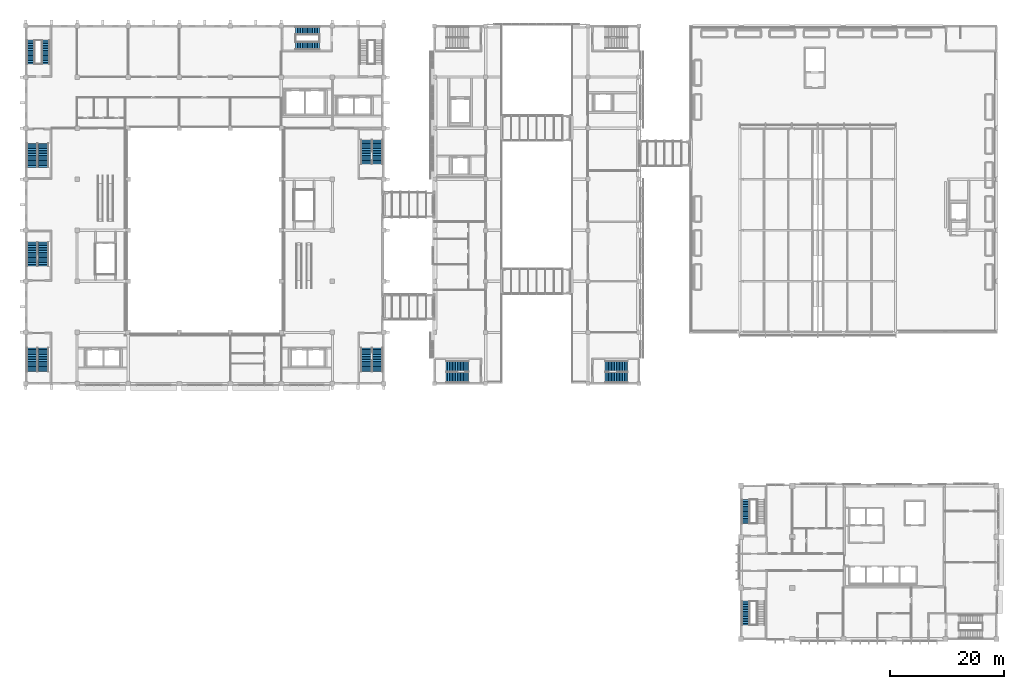
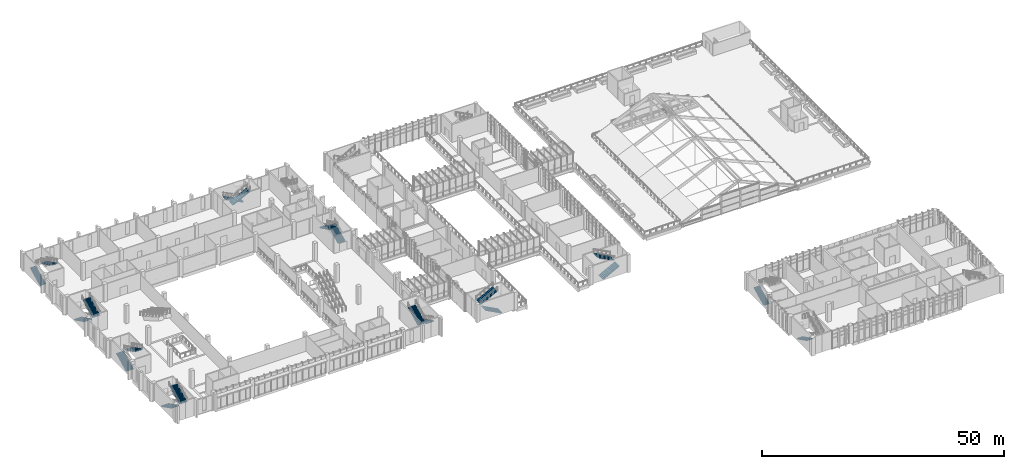
# One storey, part 80 of 106: 20 stair flights, 11 elements without a shape of their own.
"""IFC4 building model written with IfcOpenShell, lengths in metres."""

from ifc_helpers import new_model, si_unit, direction, frame, origin, place, context, subcontext, project, spatial, polyline, outline, extrude, material, type_object, element, aggregate, save


model = new_model("IFC4")

# Units and contexts
model_context = context("Model", 3, precision=1e-05, world=origin(), true_north=direction((0.0, 1.0)))
body_context = subcontext(model_context, "Body", "Model", "MODEL_VIEW")
ifc_project = project(units=[si_unit("LENGTHUNIT", "METRE"), si_unit("AREAUNIT", "SQUARE_METRE"), si_unit("VOLUMEUNIT", "CUBIC_METRE"), si_unit("PLANEANGLEUNIT", "RADIAN"), si_unit("MASSUNIT", "GRAM", prefix="KILO")], contexts=[model_context])

# Site, building, storey
site_placement = place(None, origin())
site = spatial("IfcSite", under=ifc_project, at=site_placement, CompositionType="ELEMENT")
building_placement = place(site_placement, origin())
building = spatial("IfcBuilding", under=site, at=building_placement, Name="Guidao Yard Department Store", CompositionType="ELEMENT")
storey_placement = place(building_placement, frame((0.0, 0.0, 10.5)))
storey = spatial("IfcBuildingStorey", under=building, at=storey_placement, Name="L02", CompositionType="ELEMENT", Elevation=10.5)

# Stair, stair flights
ifc_material_1 = material(Name="Concrete C35", Category="concrete")
stair_type_1 = type_object("IfcStairType", Name="Stair half-turn two-flight 1400 wide 4.5 m rise", PredefinedType="HALF_TURN_STAIR", material=ifc_material_1)
stair_1_placement = place(storey_placement, origin())
stair_1 = element("IfcStair", 1, at=stair_1_placement, inside=storey, type_object=stair_type_1, Name="Stair A5 L02 to L03", PredefinedType="HALF_TURN_STAIR")
ifc_material_2 = material(Name="Concrete C35", Category="concrete")
stair_flight_type_1 = type_object("IfcStairFlightType", Name="Stair flight RC straight 1400 wide 15 risers x 300 going C35", PredefinedType="STRAIGHT", material=ifc_material_2)
stair_flight_1_placement = place(storey_placement, frame((0.824951171875, 101.300048828125, 0.0), z_axis=(0.0, 0.0, 1.0), x_axis=(0.0, 1.0, 0.0)))
stair_flight_1 = element("IfcStairFlight", 2, at=stair_flight_1_placement, type_object=stair_flight_type_1, Name="SA5-L02 flight 1", NumberOfRisers=15, NumberOfTreads=14, PredefinedType="STRAIGHT", RiserHeight=0.15, TreadLength=0.3, context=body_context, shape_type="SweptSolid", body=[
    extrude(outline(polyline([(0.0, 0.0), (0.0, 0.14990234375), (0.300048828125, 0.14990234375), (0.300048828125, 0.300048828125), (0.60009765625, 0.300048828125), (0.60009765625, 0.449951171875), (0.89990234375, 0.449951171875), (0.89990234375, 0.60009765625), (1.199951171875, 0.60009765625), (1.199951171875, 0.75), (1.5, 0.75), (1.5, 0.89990234375), (1.800048828125, 0.89990234375), (1.800048828125, 1.050048828125), (2.10009765625, 1.050048828125), (2.10009765625, 1.199951171875), (2.39990234375, 1.199951171875), (2.39990234375, 1.35009765625), (2.699951171875, 1.35009765625), (2.699951171875, 1.5), (3.0, 1.5), (3.0, 1.64990234375), (3.300048828125, 1.64990234375), (3.300048828125, 1.800048828125), (3.60009765625, 1.800048828125), (3.60009765625, 1.949951171875), (3.89990234375, 1.949951171875), (3.89990234375, 2.10009765625), (4.199951171875, 2.10009765625), (4.199951171875, 2.25), (4.199951171875, 1.932373046875), (0.335205078125, 0.0), (0.0, 0.0)])), frame((0.0, 0.699951171875, 0.0), z_axis=(0.0, -1.0, 0.0), x_axis=(1.0, 0.0, 0.0)), (0.0, 0.0, 1.0), 1.39990234375),
])
stair_flight_2_placement = place(storey_placement, frame((3.5, 105.5, 2.25), z_axis=(0.0, 0.0, 1.0), x_axis=(0.0, -1.0, 0.0)))
stair_flight_2 = element("IfcStairFlight", 3, at=stair_flight_2_placement, type_object=stair_flight_type_1, Name="SA5-L02 flight 2", NumberOfRisers=15, NumberOfTreads=14, PredefinedType="STRAIGHT", RiserHeight=0.15, TreadLength=0.3, context=body_context, shape_type="SweptSolid", body=[
    extrude(outline(polyline([(0.0, 0.0), (0.0, 0.14990234375), (0.300048828125, 0.14990234375), (0.300048828125, 0.300048828125), (0.60009765625, 0.300048828125), (0.60009765625, 0.449951171875), (0.89990234375, 0.449951171875), (0.89990234375, 0.60009765625), (1.199951171875, 0.60009765625), (1.199951171875, 0.75), (1.5, 0.75), (1.5, 0.89990234375), (1.800048828125, 0.89990234375), (1.800048828125, 1.050048828125), (2.10009765625, 1.050048828125), (2.10009765625, 1.199951171875), (2.39990234375, 1.199951171875), (2.39990234375, 1.35009765625), (2.699951171875, 1.35009765625), (2.699951171875, 1.5), (3.0, 1.5), (3.0, 1.64990234375), (3.300048828125, 1.64990234375), (3.300048828125, 1.800048828125), (3.60009765625, 1.800048828125), (3.60009765625, 1.949951171875), (3.89990234375, 1.949951171875), (3.89990234375, 2.10009765625), (4.199951171875, 2.10009765625), (4.199951171875, 2.25), (4.199951171875, 1.932373046875), (0.335205078125, 0.0), (0.0, 0.0)])), frame((0.0, 0.699951171875, 0.0), z_axis=(0.0, -1.0, 0.0), x_axis=(1.0, 0.0, 0.0)), (0.0, 0.0, 1.0), 1.39990234375),
])
aggregate(stair_1, [stair_flight_1, stair_flight_2])

stair_2_placement = place(storey_placement, origin())
stair_2 = element("IfcStair", 4, at=stair_2_placement, inside=storey, type_object=stair_type_1, Name="Stair A7 L02 to L03", PredefinedType="HALF_TURN_STAIR")
stair_flight_3_placement = place(storey_placement, frame((51.699951171875, 107.175048828125, 0.0), z_axis=(0.0, 0.0, 1.0), x_axis=(-1.0, 0.0, 0.0)))
stair_flight_3 = element("IfcStairFlight", 5, at=stair_flight_3_placement, type_object=stair_flight_type_1, Name="SA7-L02 flight 1", NumberOfRisers=15, NumberOfTreads=14, PredefinedType="STRAIGHT", RiserHeight=0.15, TreadLength=0.3, context=body_context, shape_type="SweptSolid", body=[
    extrude(outline(polyline([(0.0, 0.0), (0.0, 0.14990234375), (0.300048828125, 0.14990234375), (0.300048828125, 0.300048828125), (0.60009765625, 0.300048828125), (0.60009765625, 0.449951171875), (0.89990234375, 0.449951171875), (0.89990234375, 0.60009765625), (1.199951171875, 0.60009765625), (1.199951171875, 0.75), (1.5, 0.75), (1.5, 0.89990234375), (1.800048828125, 0.89990234375), (1.800048828125, 1.050048828125), (2.10009765625, 1.050048828125), (2.10009765625, 1.199951171875), (2.39990234375, 1.199951171875), (2.39990234375, 1.35009765625), (2.699951171875, 1.35009765625), (2.699951171875, 1.5), (3.0, 1.5), (3.0, 1.64990234375), (3.300048828125, 1.64990234375), (3.300048828125, 1.800048828125), (3.60009765625, 1.800048828125), (3.60009765625, 1.949951171875), (3.89990234375, 1.949951171875), (3.89990234375, 2.10009765625), (4.199951171875, 2.10009765625), (4.199951171875, 2.25), (4.199951171875, 1.932373046875), (0.335205078125, 0.0), (0.0, 0.0)])), frame((0.0, 0.699951171875, 0.0), z_axis=(0.0, -1.0, 0.0), x_axis=(1.0, 0.0, 0.0)), (0.0, 0.0, 1.0), 1.39990234375),
])
stair_flight_4_placement = place(storey_placement, frame((47.5, 104.5, 2.25), z_axis=(0.0, 0.0, 1.0), x_axis=(1.0, 0.0, 0.0)))
stair_flight_4 = element("IfcStairFlight", 6, at=stair_flight_4_placement, type_object=stair_flight_type_1, Name="SA7-L02 flight 2", NumberOfRisers=15, NumberOfTreads=14, PredefinedType="STRAIGHT", RiserHeight=0.15, TreadLength=0.3, context=body_context, shape_type="SweptSolid", body=[
    extrude(outline(polyline([(0.0, 0.0), (0.0, 0.14990234375), (0.300048828125, 0.14990234375), (0.300048828125, 0.300048828125), (0.60009765625, 0.300048828125), (0.60009765625, 0.449951171875), (0.89990234375, 0.449951171875), (0.89990234375, 0.60009765625), (1.199951171875, 0.60009765625), (1.199951171875, 0.75), (1.5, 0.75), (1.5, 0.89990234375), (1.800048828125, 0.89990234375), (1.800048828125, 1.050048828125), (2.10009765625, 1.050048828125), (2.10009765625, 1.199951171875), (2.39990234375, 1.199951171875), (2.39990234375, 1.35009765625), (2.699951171875, 1.35009765625), (2.699951171875, 1.5), (3.0, 1.5), (3.0, 1.64990234375), (3.300048828125, 1.64990234375), (3.300048828125, 1.800048828125), (3.60009765625, 1.800048828125), (3.60009765625, 1.949951171875), (3.89990234375, 1.949951171875), (3.89990234375, 2.10009765625), (4.199951171875, 2.10009765625), (4.199951171875, 2.25), (4.199951171875, 1.932373046875), (0.335205078125, 0.0), (0.0, 0.0)])), frame((0.0, 0.699951171875, 0.0), z_axis=(0.0, -1.0, 0.0), x_axis=(1.0, 0.0, 0.0)), (0.0, 0.0, 1.0), 1.39990234375),
])
aggregate(stair_2, [stair_flight_3, stair_flight_4])

# Stair, stair flight
stair_3_placement = place(storey_placement, origin())
stair_3 = element("IfcStair", 7, at=stair_3_placement, inside=storey, type_object=stair_type_1, Name="Stair O1 L02 to L03", PredefinedType="HALF_TURN_STAIR")
stair_flight_5_placement = place(storey_placement, frame((126.824951171875, 6.64990234375, 0.0), z_axis=(0.0, 0.0, 1.0), x_axis=(0.0, -1.0, 0.0)))
stair_flight_5 = element("IfcStairFlight", 8, at=stair_flight_5_placement, type_object=stair_flight_type_1, Name="SO1-L02 flight 1", NumberOfRisers=15, NumberOfTreads=14, PredefinedType="STRAIGHT", RiserHeight=0.15, TreadLength=0.3, context=body_context, shape_type="SweptSolid", body=[
    extrude(outline(polyline([(0.0, 0.0), (0.0, 0.14990234375), (0.300048828125, 0.14990234375), (0.300048828125, 0.300048828125), (0.60009765625, 0.300048828125), (0.60009765625, 0.449951171875), (0.89990234375, 0.449951171875), (0.89990234375, 0.60009765625), (1.199951171875, 0.60009765625), (1.199951171875, 0.75), (1.5, 0.75), (1.5, 0.89990234375), (1.800048828125, 0.89990234375), (1.800048828125, 1.050048828125), (2.10009765625, 1.050048828125), (2.10009765625, 1.199951171875), (2.39990234375, 1.199951171875), (2.39990234375, 1.35009765625), (2.699951171875, 1.35009765625), (2.699951171875, 1.5), (3.0, 1.5), (3.0, 1.64990234375), (3.300048828125, 1.64990234375), (3.300048828125, 1.800048828125), (3.60009765625, 1.800048828125), (3.60009765625, 1.949951171875), (3.89990234375, 1.949951171875), (3.89990234375, 2.10009765625), (4.199951171875, 2.10009765625), (4.199951171875, 2.25), (4.199951171875, 1.932373046875), (0.335205078125, 0.0), (0.0, 0.0)])), frame((0.0, 0.699951171875, 0.0), z_axis=(0.0, -1.0, 0.0), x_axis=(1.0, 0.0, 0.0)), (0.0, 0.0, 1.0), 1.39990234375),
])
aggregate(stair_3, [stair_flight_5])

stair_4_placement = place(storey_placement, origin())
stair_4 = element("IfcStair", 9, at=stair_4_placement, inside=storey, type_object=stair_type_1, Name="Stair O3 L02 to L03", PredefinedType="HALF_TURN_STAIR")
stair_flight_6_placement = place(storey_placement, frame((126.824951171875, 20.35009765625, 0.0), z_axis=(0.0, 0.0, 1.0), x_axis=(0.0, 1.0, 0.0)))
stair_flight_6 = element("IfcStairFlight", 10, at=stair_flight_6_placement, type_object=stair_flight_type_1, Name="SO3-L02 flight 1", NumberOfRisers=15, NumberOfTreads=14, PredefinedType="STRAIGHT", RiserHeight=0.15, TreadLength=0.3, context=body_context, shape_type="SweptSolid", body=[
    extrude(outline(polyline([(0.0, 0.0), (0.0, 0.14990234375), (0.300048828125, 0.14990234375), (0.300048828125, 0.300048828125), (0.60009765625, 0.300048828125), (0.60009765625, 0.449951171875), (0.89990234375, 0.449951171875), (0.89990234375, 0.60009765625), (1.199951171875, 0.60009765625), (1.199951171875, 0.75), (1.5, 0.75), (1.5, 0.89990234375), (1.800048828125, 0.89990234375), (1.800048828125, 1.050048828125), (2.10009765625, 1.050048828125), (2.10009765625, 1.199951171875), (2.39990234375, 1.199951171875), (2.39990234375, 1.35009765625), (2.699951171875, 1.35009765625), (2.699951171875, 1.5), (3.0, 1.5), (3.0, 1.64990234375), (3.300048828125, 1.64990234375), (3.300048828125, 1.800048828125), (3.60009765625, 1.800048828125), (3.60009765625, 1.949951171875), (3.89990234375, 1.949951171875), (3.89990234375, 2.10009765625), (4.199951171875, 2.10009765625), (4.199951171875, 2.25), (4.199951171875, 1.932373046875), (0.335205078125, 0.0), (0.0, 0.0)])), frame((0.0, 0.699951171875, 0.0), z_axis=(0.0, -1.0, 0.0), x_axis=(1.0, 0.0, 0.0)), (0.0, 0.0, 1.0), 1.39990234375),
])
aggregate(stair_4, [stair_flight_6])

# Stair, stair flights
ifc_material_3 = material(Name="Concrete C35", Category="concrete")
stair_type_2 = type_object("IfcStairType", Name="Stair half-turn two-flight 1800 wide 4.5 m rise", PredefinedType="HALF_TURN_STAIR", material=ifc_material_3)
stair_5_placement = place(storey_placement, origin())
stair_5 = element("IfcStair", 11, at=stair_5_placement, inside=storey, type_object=stair_type_2, Name="Stair G1 L02 to L03", PredefinedType="HALF_TURN_STAIR")
ifc_material_4 = material(Name="Concrete C35", Category="concrete")
stair_flight_type_2 = type_object("IfcStairFlightType", Name="Stair flight RC straight 1800 wide 15 risers x 280 going C35", PredefinedType="STRAIGHT", material=ifc_material_4)
stair_flight_7_placement = place(storey_placement, frame((77.949951171875, 46.02490234375, 0.0), z_axis=(0.0, 0.0, 1.0), x_axis=(-1.0, 0.0, 0.0)))
stair_flight_7 = element("IfcStairFlight", 12, at=stair_flight_7_placement, type_object=stair_flight_type_2, Name="SG1-L02 flight 1", NumberOfRisers=15, NumberOfTreads=14, PredefinedType="STRAIGHT", RiserHeight=0.15, TreadLength=0.28, context=body_context, shape_type="SweptSolid", body=[
    extrude(outline(polyline([(0.0, 0.0), (0.0, 0.14990234375), (0.280029296875, 0.14990234375), (0.280029296875, 0.300048828125), (0.56005859375, 0.300048828125), (0.56005859375, 0.449951171875), (0.840087890625, 0.449951171875), (0.840087890625, 0.60009765625), (1.1201171875, 0.60009765625), (1.1201171875, 0.75), (1.39990234375, 0.75), (1.39990234375, 0.89990234375), (1.679931640625, 0.89990234375), (1.679931640625, 1.050048828125), (1.9599609375, 1.050048828125), (1.9599609375, 1.199951171875), (2.239990234375, 1.199951171875), (2.239990234375, 1.35009765625), (2.52001953125, 1.35009765625), (2.52001953125, 1.5), (2.800048828125, 1.5), (2.800048828125, 1.64990234375), (3.080078125, 1.64990234375), (3.080078125, 1.800048828125), (3.360107421875, 1.800048828125), (3.360107421875, 1.949951171875), (3.639892578125, 1.949951171875), (3.639892578125, 2.10009765625), (3.919921875, 2.10009765625), (3.919921875, 2.25), (3.919921875, 1.929931640625), (0.3173828125, 0.0), (0.0, 0.0)])), frame((0.0, 0.89990234375, 0.0), z_axis=(0.0, -1.0, 0.0), x_axis=(1.0, 0.0, 0.0)), (0.0, 0.0, 1.0), 1.800048828125),
])
stair_flight_8_placement = place(storey_placement, frame((74.030029296875, 48.074951171875, 2.25), z_axis=(0.0, 0.0, 1.0), x_axis=(1.0, 0.0, 0.0)))
stair_flight_8 = element("IfcStairFlight", 13, at=stair_flight_8_placement, type_object=stair_flight_type_2, Name="SG1-L02 flight 2", NumberOfRisers=15, NumberOfTreads=14, PredefinedType="STRAIGHT", RiserHeight=0.15, TreadLength=0.28, context=body_context, shape_type="SweptSolid", body=[
    extrude(outline(polyline([(0.0, 0.0), (0.0, 0.14990234375), (0.280029296875, 0.14990234375), (0.280029296875, 0.300048828125), (0.56005859375, 0.300048828125), (0.56005859375, 0.449951171875), (0.840087890625, 0.449951171875), (0.840087890625, 0.60009765625), (1.1201171875, 0.60009765625), (1.1201171875, 0.75), (1.39990234375, 0.75), (1.39990234375, 0.89990234375), (1.679931640625, 0.89990234375), (1.679931640625, 1.050048828125), (1.9599609375, 1.050048828125), (1.9599609375, 1.199951171875), (2.239990234375, 1.199951171875), (2.239990234375, 1.35009765625), (2.52001953125, 1.35009765625), (2.52001953125, 1.5), (2.800048828125, 1.5), (2.800048828125, 1.64990234375), (3.080078125, 1.64990234375), (3.080078125, 1.800048828125), (3.360107421875, 1.800048828125), (3.360107421875, 1.949951171875), (3.639892578125, 1.949951171875), (3.639892578125, 2.10009765625), (3.919921875, 2.10009765625), (3.919921875, 2.25), (3.919921875, 1.929931640625), (0.3173828125, 0.0), (0.0, 0.0)])), frame((0.0, 0.89990234375, 0.0), z_axis=(0.0, -1.0, 0.0), x_axis=(1.0, 0.0, 0.0)), (0.0, 0.0, 1.0), 1.800048828125),
])
aggregate(stair_5, [stair_flight_7, stair_flight_8])

stair_6_placement = place(storey_placement, origin())
stair_6 = element("IfcStair", 14, at=stair_6_placement, inside=storey, type_object=stair_type_2, Name="Stair G3 L02 to L03", PredefinedType="HALF_TURN_STAIR")
stair_flight_9_placement = place(storey_placement, frame((102.050048828125, 46.02490234375, 0.0), z_axis=(0.0, 0.0, 1.0), x_axis=(1.0, 0.0, 0.0)))
stair_flight_9 = element("IfcStairFlight", 15, at=stair_flight_9_placement, type_object=stair_flight_type_2, Name="SG3-L02 flight 1", NumberOfRisers=15, NumberOfTreads=14, PredefinedType="STRAIGHT", RiserHeight=0.15, TreadLength=0.28, context=body_context, shape_type="SweptSolid", body=[
    extrude(outline(polyline([(0.0, 0.0), (0.0, 0.14990234375), (0.280029296875, 0.14990234375), (0.280029296875, 0.300048828125), (0.56005859375, 0.300048828125), (0.56005859375, 0.449951171875), (0.840087890625, 0.449951171875), (0.840087890625, 0.60009765625), (1.1201171875, 0.60009765625), (1.1201171875, 0.75), (1.39990234375, 0.75), (1.39990234375, 0.89990234375), (1.679931640625, 0.89990234375), (1.679931640625, 1.050048828125), (1.9599609375, 1.050048828125), (1.9599609375, 1.199951171875), (2.239990234375, 1.199951171875), (2.239990234375, 1.35009765625), (2.52001953125, 1.35009765625), (2.52001953125, 1.5), (2.800048828125, 1.5), (2.800048828125, 1.64990234375), (3.080078125, 1.64990234375), (3.080078125, 1.800048828125), (3.360107421875, 1.800048828125), (3.360107421875, 1.949951171875), (3.639892578125, 1.949951171875), (3.639892578125, 2.10009765625), (3.919921875, 2.10009765625), (3.919921875, 2.25), (3.919921875, 1.929931640625), (0.3173828125, 0.0), (0.0, 0.0)])), frame((0.0, 0.89990234375, 0.0), z_axis=(0.0, -1.0, 0.0), x_axis=(1.0, 0.0, 0.0)), (0.0, 0.0, 1.0), 1.800048828125),
])
stair_flight_10_placement = place(storey_placement, frame((105.969970703125, 48.074951171875, 2.25), z_axis=(0.0, 0.0, 1.0), x_axis=(-1.0, 0.0, 0.0)))
stair_flight_10 = element("IfcStairFlight", 16, at=stair_flight_10_placement, type_object=stair_flight_type_2, Name="SG3-L02 flight 2", NumberOfRisers=15, NumberOfTreads=14, PredefinedType="STRAIGHT", RiserHeight=0.15, TreadLength=0.28, context=body_context, shape_type="SweptSolid", body=[
    extrude(outline(polyline([(0.0, 0.0), (0.0, 0.14990234375), (0.280029296875, 0.14990234375), (0.280029296875, 0.300048828125), (0.56005859375, 0.300048828125), (0.56005859375, 0.449951171875), (0.840087890625, 0.449951171875), (0.840087890625, 0.60009765625), (1.1201171875, 0.60009765625), (1.1201171875, 0.75), (1.39990234375, 0.75), (1.39990234375, 0.89990234375), (1.679931640625, 0.89990234375), (1.679931640625, 1.050048828125), (1.9599609375, 1.050048828125), (1.9599609375, 1.199951171875), (2.239990234375, 1.199951171875), (2.239990234375, 1.35009765625), (2.52001953125, 1.35009765625), (2.52001953125, 1.5), (2.800048828125, 1.5), (2.800048828125, 1.64990234375), (3.080078125, 1.64990234375), (3.080078125, 1.800048828125), (3.360107421875, 1.800048828125), (3.360107421875, 1.949951171875), (3.639892578125, 1.949951171875), (3.639892578125, 2.10009765625), (3.919921875, 2.10009765625), (3.919921875, 2.25), (3.919921875, 1.929931640625), (0.3173828125, 0.0), (0.0, 0.0)])), frame((0.0, 0.89990234375, 0.0), z_axis=(0.0, -1.0, 0.0), x_axis=(1.0, 0.0, 0.0)), (0.0, 0.0, 1.0), 1.800048828125),
])
aggregate(stair_6, [stair_flight_9, stair_flight_10])

stair_7_placement = place(storey_placement, origin())
stair_7 = element("IfcStair", 17, at=stair_7_placement, inside=storey, type_object=stair_type_2, Name="Stair A1 L02 to L03", PredefinedType="HALF_TURN_STAIR")
ifc_material_5 = material(Name="Concrete C35", Category="concrete")
stair_flight_type_3 = type_object("IfcStairFlightType", Name="Stair flight RC straight 1800 wide 15 risers x 300 going C35", PredefinedType="STRAIGHT", material=ifc_material_5)
stair_flight_11_placement = place(storey_placement, frame((1.02490234375, 65.699951171875, 0.0), z_axis=(0.0, 0.0, 1.0), x_axis=(0.0, 1.0, 0.0)))
stair_flight_11 = element("IfcStairFlight", 18, at=stair_flight_11_placement, type_object=stair_flight_type_3, Name="SA1-L02 flight 1", NumberOfRisers=15, NumberOfTreads=14, PredefinedType="STRAIGHT", RiserHeight=0.15, TreadLength=0.3, context=body_context, shape_type="SweptSolid", body=[
    extrude(outline(polyline([(0.0, 0.0), (0.0, 0.14990234375), (0.300048828125, 0.14990234375), (0.300048828125, 0.300048828125), (0.60009765625, 0.300048828125), (0.60009765625, 0.449951171875), (0.89990234375, 0.449951171875), (0.89990234375, 0.60009765625), (1.199951171875, 0.60009765625), (1.199951171875, 0.75), (1.5, 0.75), (1.5, 0.89990234375), (1.800048828125, 0.89990234375), (1.800048828125, 1.050048828125), (2.10009765625, 1.050048828125), (2.10009765625, 1.199951171875), (2.39990234375, 1.199951171875), (2.39990234375, 1.35009765625), (2.699951171875, 1.35009765625), (2.699951171875, 1.5), (3.0, 1.5), (3.0, 1.64990234375), (3.300048828125, 1.64990234375), (3.300048828125, 1.800048828125), (3.60009765625, 1.800048828125), (3.60009765625, 1.949951171875), (3.89990234375, 1.949951171875), (3.89990234375, 2.10009765625), (4.199951171875, 2.10009765625), (4.199951171875, 2.25), (4.199951171875, 1.932373046875), (0.335205078125, 0.0), (0.0, 0.0)])), frame((0.0, 0.89990234375, 0.0), z_axis=(0.0, -1.0, 0.0), x_axis=(1.0, 0.0, 0.0)), (0.0, 0.0, 1.0), 1.800048828125),
])
stair_flight_12_placement = place(storey_placement, frame((3.074951171875, 69.89990234375, 2.25), z_axis=(0.0, 0.0, 1.0), x_axis=(0.0, -1.0, 0.0)))
stair_flight_12 = element("IfcStairFlight", 19, at=stair_flight_12_placement, type_object=stair_flight_type_3, Name="SA1-L02 flight 2", NumberOfRisers=15, NumberOfTreads=14, PredefinedType="STRAIGHT", RiserHeight=0.15, TreadLength=0.3, context=body_context, shape_type="SweptSolid", body=[
    extrude(outline(polyline([(0.0, 0.0), (0.0, 0.14990234375), (0.300048828125, 0.14990234375), (0.300048828125, 0.300048828125), (0.60009765625, 0.300048828125), (0.60009765625, 0.449951171875), (0.89990234375, 0.449951171875), (0.89990234375, 0.60009765625), (1.199951171875, 0.60009765625), (1.199951171875, 0.75), (1.5, 0.75), (1.5, 0.89990234375), (1.800048828125, 0.89990234375), (1.800048828125, 1.050048828125), (2.10009765625, 1.050048828125), (2.10009765625, 1.199951171875), (2.39990234375, 1.199951171875), (2.39990234375, 1.35009765625), (2.699951171875, 1.35009765625), (2.699951171875, 1.5), (3.0, 1.5), (3.0, 1.64990234375), (3.300048828125, 1.64990234375), (3.300048828125, 1.800048828125), (3.60009765625, 1.800048828125), (3.60009765625, 1.949951171875), (3.89990234375, 1.949951171875), (3.89990234375, 2.10009765625), (4.199951171875, 2.10009765625), (4.199951171875, 2.25), (4.199951171875, 1.932373046875), (0.335205078125, 0.0), (0.0, 0.0)])), frame((0.0, 0.89990234375, 0.0), z_axis=(0.0, -1.0, 0.0), x_axis=(1.0, 0.0, 0.0)), (0.0, 0.0, 1.0), 1.800048828125),
])
aggregate(stair_7, [stair_flight_11, stair_flight_12])

stair_8_placement = place(storey_placement, origin())
stair_8 = element("IfcStair", 20, at=stair_8_placement, inside=storey, type_object=stair_type_2, Name="Stair A2 L02 to L03", PredefinedType="HALF_TURN_STAIR")
stair_flight_13_placement = place(storey_placement, frame((61.97509765625, 51.300048828125, 0.0), z_axis=(0.0, 0.0, 1.0), x_axis=(0.0, -1.0, 0.0)))
stair_flight_13 = element("IfcStairFlight", 21, at=stair_flight_13_placement, type_object=stair_flight_type_3, Name="SA2-L02 flight 1", NumberOfRisers=15, NumberOfTreads=14, PredefinedType="STRAIGHT", RiserHeight=0.15, TreadLength=0.3, context=body_context, shape_type="SweptSolid", body=[
    extrude(outline(polyline([(0.0, 0.0), (0.0, 0.14990234375), (0.300048828125, 0.14990234375), (0.300048828125, 0.300048828125), (0.60009765625, 0.300048828125), (0.60009765625, 0.449951171875), (0.89990234375, 0.449951171875), (0.89990234375, 0.60009765625), (1.199951171875, 0.60009765625), (1.199951171875, 0.75), (1.5, 0.75), (1.5, 0.89990234375), (1.800048828125, 0.89990234375), (1.800048828125, 1.050048828125), (2.10009765625, 1.050048828125), (2.10009765625, 1.199951171875), (2.39990234375, 1.199951171875), (2.39990234375, 1.35009765625), (2.699951171875, 1.35009765625), (2.699951171875, 1.5), (3.0, 1.5), (3.0, 1.64990234375), (3.300048828125, 1.64990234375), (3.300048828125, 1.800048828125), (3.60009765625, 1.800048828125), (3.60009765625, 1.949951171875), (3.89990234375, 1.949951171875), (3.89990234375, 2.10009765625), (4.199951171875, 2.10009765625), (4.199951171875, 2.25), (4.199951171875, 1.932373046875), (0.335205078125, 0.0), (0.0, 0.0)])), frame((0.0, 0.89990234375, 0.0), z_axis=(0.0, -1.0, 0.0), x_axis=(1.0, 0.0, 0.0)), (0.0, 0.0, 1.0), 1.800048828125),
])
stair_flight_14_placement = place(storey_placement, frame((59.925048828125, 47.10009765625, 2.25), z_axis=(0.0, 0.0, 1.0), x_axis=(0.0, 1.0, 0.0)))
stair_flight_14 = element("IfcStairFlight", 22, at=stair_flight_14_placement, type_object=stair_flight_type_3, Name="SA2-L02 flight 2", NumberOfRisers=15, NumberOfTreads=14, PredefinedType="STRAIGHT", RiserHeight=0.15, TreadLength=0.3, context=body_context, shape_type="SweptSolid", body=[
    extrude(outline(polyline([(0.0, 0.0), (0.0, 0.14990234375), (0.300048828125, 0.14990234375), (0.300048828125, 0.300048828125), (0.60009765625, 0.300048828125), (0.60009765625, 0.449951171875), (0.89990234375, 0.449951171875), (0.89990234375, 0.60009765625), (1.199951171875, 0.60009765625), (1.199951171875, 0.75), (1.5, 0.75), (1.5, 0.89990234375), (1.800048828125, 0.89990234375), (1.800048828125, 1.050048828125), (2.10009765625, 1.050048828125), (2.10009765625, 1.199951171875), (2.39990234375, 1.199951171875), (2.39990234375, 1.35009765625), (2.699951171875, 1.35009765625), (2.699951171875, 1.5), (3.0, 1.5), (3.0, 1.64990234375), (3.300048828125, 1.64990234375), (3.300048828125, 1.800048828125), (3.60009765625, 1.800048828125), (3.60009765625, 1.949951171875), (3.89990234375, 1.949951171875), (3.89990234375, 2.10009765625), (4.199951171875, 2.10009765625), (4.199951171875, 2.25), (4.199951171875, 1.932373046875), (0.335205078125, 0.0), (0.0, 0.0)])), frame((0.0, 0.89990234375, 0.0), z_axis=(0.0, -1.0, 0.0), x_axis=(1.0, 0.0, 0.0)), (0.0, 0.0, 1.0), 1.800048828125),
])
aggregate(stair_8, [stair_flight_13, stair_flight_14])

stair_9_placement = place(storey_placement, origin())
stair_9 = element("IfcStair", 23, at=stair_9_placement, inside=storey, type_object=stair_type_2, Name="Stair A3 L02 to L03", PredefinedType="HALF_TURN_STAIR")
stair_flight_15_placement = place(storey_placement, frame((1.02490234375, 87.300048828125, 0.0), z_axis=(0.0, 0.0, 1.0), x_axis=(0.0, -1.0, 0.0)))
stair_flight_15 = element("IfcStairFlight", 24, at=stair_flight_15_placement, type_object=stair_flight_type_3, Name="SA3-L02 flight 1", NumberOfRisers=15, NumberOfTreads=14, PredefinedType="STRAIGHT", RiserHeight=0.15, TreadLength=0.3, context=body_context, shape_type="SweptSolid", body=[
    extrude(outline(polyline([(0.0, 0.0), (0.0, 0.14990234375), (0.300048828125, 0.14990234375), (0.300048828125, 0.300048828125), (0.60009765625, 0.300048828125), (0.60009765625, 0.449951171875), (0.89990234375, 0.449951171875), (0.89990234375, 0.60009765625), (1.199951171875, 0.60009765625), (1.199951171875, 0.75), (1.5, 0.75), (1.5, 0.89990234375), (1.800048828125, 0.89990234375), (1.800048828125, 1.050048828125), (2.10009765625, 1.050048828125), (2.10009765625, 1.199951171875), (2.39990234375, 1.199951171875), (2.39990234375, 1.35009765625), (2.699951171875, 1.35009765625), (2.699951171875, 1.5), (3.0, 1.5), (3.0, 1.64990234375), (3.300048828125, 1.64990234375), (3.300048828125, 1.800048828125), (3.60009765625, 1.800048828125), (3.60009765625, 1.949951171875), (3.89990234375, 1.949951171875), (3.89990234375, 2.10009765625), (4.199951171875, 2.10009765625), (4.199951171875, 2.25), (4.199951171875, 1.932373046875), (0.335205078125, 0.0), (0.0, 0.0)])), frame((0.0, 0.89990234375, 0.0), z_axis=(0.0, -1.0, 0.0), x_axis=(1.0, 0.0, 0.0)), (0.0, 0.0, 1.0), 1.800048828125),
])
stair_flight_16_placement = place(storey_placement, frame((3.074951171875, 83.10009765625, 2.25), z_axis=(0.0, 0.0, 1.0), x_axis=(0.0, 1.0, 0.0)))
stair_flight_16 = element("IfcStairFlight", 25, at=stair_flight_16_placement, type_object=stair_flight_type_3, Name="SA3-L02 flight 2", NumberOfRisers=15, NumberOfTreads=14, PredefinedType="STRAIGHT", RiserHeight=0.15, TreadLength=0.3, context=body_context, shape_type="SweptSolid", body=[
    extrude(outline(polyline([(0.0, 0.0), (0.0, 0.14990234375), (0.300048828125, 0.14990234375), (0.300048828125, 0.300048828125), (0.60009765625, 0.300048828125), (0.60009765625, 0.449951171875), (0.89990234375, 0.449951171875), (0.89990234375, 0.60009765625), (1.199951171875, 0.60009765625), (1.199951171875, 0.75), (1.5, 0.75), (1.5, 0.89990234375), (1.800048828125, 0.89990234375), (1.800048828125, 1.050048828125), (2.10009765625, 1.050048828125), (2.10009765625, 1.199951171875), (2.39990234375, 1.199951171875), (2.39990234375, 1.35009765625), (2.699951171875, 1.35009765625), (2.699951171875, 1.5), (3.0, 1.5), (3.0, 1.64990234375), (3.300048828125, 1.64990234375), (3.300048828125, 1.800048828125), (3.60009765625, 1.800048828125), (3.60009765625, 1.949951171875), (3.89990234375, 1.949951171875), (3.89990234375, 2.10009765625), (4.199951171875, 2.10009765625), (4.199951171875, 2.25), (4.199951171875, 1.932373046875), (0.335205078125, 0.0), (0.0, 0.0)])), frame((0.0, 0.89990234375, 0.0), z_axis=(0.0, -1.0, 0.0), x_axis=(1.0, 0.0, 0.0)), (0.0, 0.0, 1.0), 1.800048828125),
])
aggregate(stair_9, [stair_flight_15, stair_flight_16])

stair_10_placement = place(storey_placement, origin())
stair_10 = element("IfcStair", 26, at=stair_10_placement, inside=storey, type_object=stair_type_2, Name="Stair A4 L02 to L03", PredefinedType="HALF_TURN_STAIR")
stair_flight_17_placement = place(storey_placement, frame((61.97509765625, 83.699951171875, 0.0), z_axis=(0.0, 0.0, 1.0), x_axis=(0.0, 1.0, 0.0)))
stair_flight_17 = element("IfcStairFlight", 27, at=stair_flight_17_placement, type_object=stair_flight_type_3, Name="SA4-L02 flight 1", NumberOfRisers=15, NumberOfTreads=14, PredefinedType="STRAIGHT", RiserHeight=0.15, TreadLength=0.3, context=body_context, shape_type="SweptSolid", body=[
    extrude(outline(polyline([(0.0, 0.0), (0.0, 0.14990234375), (0.300048828125, 0.14990234375), (0.300048828125, 0.300048828125), (0.60009765625, 0.300048828125), (0.60009765625, 0.449951171875), (0.89990234375, 0.449951171875), (0.89990234375, 0.60009765625), (1.199951171875, 0.60009765625), (1.199951171875, 0.75), (1.5, 0.75), (1.5, 0.89990234375), (1.800048828125, 0.89990234375), (1.800048828125, 1.050048828125), (2.10009765625, 1.050048828125), (2.10009765625, 1.199951171875), (2.39990234375, 1.199951171875), (2.39990234375, 1.35009765625), (2.699951171875, 1.35009765625), (2.699951171875, 1.5), (3.0, 1.5), (3.0, 1.64990234375), (3.300048828125, 1.64990234375), (3.300048828125, 1.800048828125), (3.60009765625, 1.800048828125), (3.60009765625, 1.949951171875), (3.89990234375, 1.949951171875), (3.89990234375, 2.10009765625), (4.199951171875, 2.10009765625), (4.199951171875, 2.25), (4.199951171875, 1.932373046875), (0.335205078125, 0.0), (0.0, 0.0)])), frame((0.0, 0.89990234375, 0.0), z_axis=(0.0, -1.0, 0.0), x_axis=(1.0, 0.0, 0.0)), (0.0, 0.0, 1.0), 1.800048828125),
])
stair_flight_18_placement = place(storey_placement, frame((59.925048828125, 87.89990234375, 2.25), z_axis=(0.0, 0.0, 1.0), x_axis=(0.0, -1.0, 0.0)))
stair_flight_18 = element("IfcStairFlight", 28, at=stair_flight_18_placement, type_object=stair_flight_type_3, Name="SA4-L02 flight 2", NumberOfRisers=15, NumberOfTreads=14, PredefinedType="STRAIGHT", RiserHeight=0.15, TreadLength=0.3, context=body_context, shape_type="SweptSolid", body=[
    extrude(outline(polyline([(0.0, 0.0), (0.0, 0.14990234375), (0.300048828125, 0.14990234375), (0.300048828125, 0.300048828125), (0.60009765625, 0.300048828125), (0.60009765625, 0.449951171875), (0.89990234375, 0.449951171875), (0.89990234375, 0.60009765625), (1.199951171875, 0.60009765625), (1.199951171875, 0.75), (1.5, 0.75), (1.5, 0.89990234375), (1.800048828125, 0.89990234375), (1.800048828125, 1.050048828125), (2.10009765625, 1.050048828125), (2.10009765625, 1.199951171875), (2.39990234375, 1.199951171875), (2.39990234375, 1.35009765625), (2.699951171875, 1.35009765625), (2.699951171875, 1.5), (3.0, 1.5), (3.0, 1.64990234375), (3.300048828125, 1.64990234375), (3.300048828125, 1.800048828125), (3.60009765625, 1.800048828125), (3.60009765625, 1.949951171875), (3.89990234375, 1.949951171875), (3.89990234375, 2.10009765625), (4.199951171875, 2.10009765625), (4.199951171875, 2.25), (4.199951171875, 1.932373046875), (0.335205078125, 0.0), (0.0, 0.0)])), frame((0.0, 0.89990234375, 0.0), z_axis=(0.0, -1.0, 0.0), x_axis=(1.0, 0.0, 0.0)), (0.0, 0.0, 1.0), 1.800048828125),
])
aggregate(stair_10, [stair_flight_17, stair_flight_18])

stair_11_placement = place(storey_placement, origin())
stair_11 = element("IfcStair", 29, at=stair_11_placement, inside=storey, type_object=stair_type_2, Name="Stair A8 L02 to L03", PredefinedType="HALF_TURN_STAIR")
stair_flight_19_placement = place(storey_placement, frame((1.02490234375, 51.300048828125, 0.0), z_axis=(0.0, 0.0, 1.0), x_axis=(0.0, -1.0, 0.0)))
stair_flight_19 = element("IfcStairFlight", 30, at=stair_flight_19_placement, type_object=stair_flight_type_3, Name="SA8-L02 flight 1", NumberOfRisers=15, NumberOfTreads=14, PredefinedType="STRAIGHT", RiserHeight=0.15, TreadLength=0.3, context=body_context, shape_type="SweptSolid", body=[
    extrude(outline(polyline([(0.0, 0.0), (0.0, 0.14990234375), (0.300048828125, 0.14990234375), (0.300048828125, 0.300048828125), (0.60009765625, 0.300048828125), (0.60009765625, 0.449951171875), (0.89990234375, 0.449951171875), (0.89990234375, 0.60009765625), (1.199951171875, 0.60009765625), (1.199951171875, 0.75), (1.5, 0.75), (1.5, 0.89990234375), (1.800048828125, 0.89990234375), (1.800048828125, 1.050048828125), (2.10009765625, 1.050048828125), (2.10009765625, 1.199951171875), (2.39990234375, 1.199951171875), (2.39990234375, 1.35009765625), (2.699951171875, 1.35009765625), (2.699951171875, 1.5), (3.0, 1.5), (3.0, 1.64990234375), (3.300048828125, 1.64990234375), (3.300048828125, 1.800048828125), (3.60009765625, 1.800048828125), (3.60009765625, 1.949951171875), (3.89990234375, 1.949951171875), (3.89990234375, 2.10009765625), (4.199951171875, 2.10009765625), (4.199951171875, 2.25), (4.199951171875, 1.932373046875), (0.335205078125, 0.0), (0.0, 0.0)])), frame((0.0, 0.89990234375, 0.0), z_axis=(0.0, -1.0, 0.0), x_axis=(1.0, 0.0, 0.0)), (0.0, 0.0, 1.0), 1.800048828125),
])
stair_flight_20_placement = place(storey_placement, frame((3.074951171875, 47.10009765625, 2.25), z_axis=(0.0, 0.0, 1.0), x_axis=(0.0, 1.0, 0.0)))
stair_flight_20 = element("IfcStairFlight", 31, at=stair_flight_20_placement, type_object=stair_flight_type_3, Name="SA8-L02 flight 2", NumberOfRisers=15, NumberOfTreads=14, PredefinedType="STRAIGHT", RiserHeight=0.15, TreadLength=0.3, context=body_context, shape_type="SweptSolid", body=[
    extrude(outline(polyline([(0.0, 0.0), (0.0, 0.14990234375), (0.300048828125, 0.14990234375), (0.300048828125, 0.300048828125), (0.60009765625, 0.300048828125), (0.60009765625, 0.449951171875), (0.89990234375, 0.449951171875), (0.89990234375, 0.60009765625), (1.199951171875, 0.60009765625), (1.199951171875, 0.75), (1.5, 0.75), (1.5, 0.89990234375), (1.800048828125, 0.89990234375), (1.800048828125, 1.050048828125), (2.10009765625, 1.050048828125), (2.10009765625, 1.199951171875), (2.39990234375, 1.199951171875), (2.39990234375, 1.35009765625), (2.699951171875, 1.35009765625), (2.699951171875, 1.5), (3.0, 1.5), (3.0, 1.64990234375), (3.300048828125, 1.64990234375), (3.300048828125, 1.800048828125), (3.60009765625, 1.800048828125), (3.60009765625, 1.949951171875), (3.89990234375, 1.949951171875), (3.89990234375, 2.10009765625), (4.199951171875, 2.10009765625), (4.199951171875, 2.25), (4.199951171875, 1.932373046875), (0.335205078125, 0.0), (0.0, 0.0)])), frame((0.0, 0.89990234375, 0.0), z_axis=(0.0, -1.0, 0.0), x_axis=(1.0, 0.0, 0.0)), (0.0, 0.0, 1.0), 1.800048828125),
])
aggregate(stair_11, [stair_flight_19, stair_flight_20])

save(model, "model.ifc")
